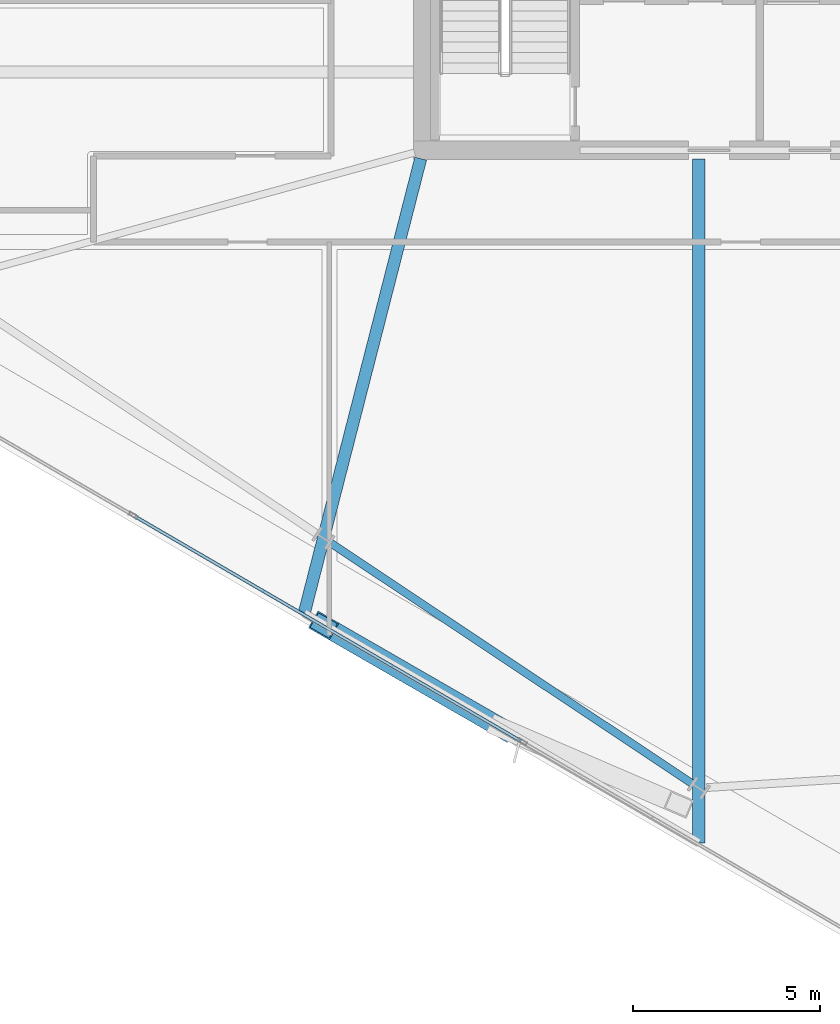
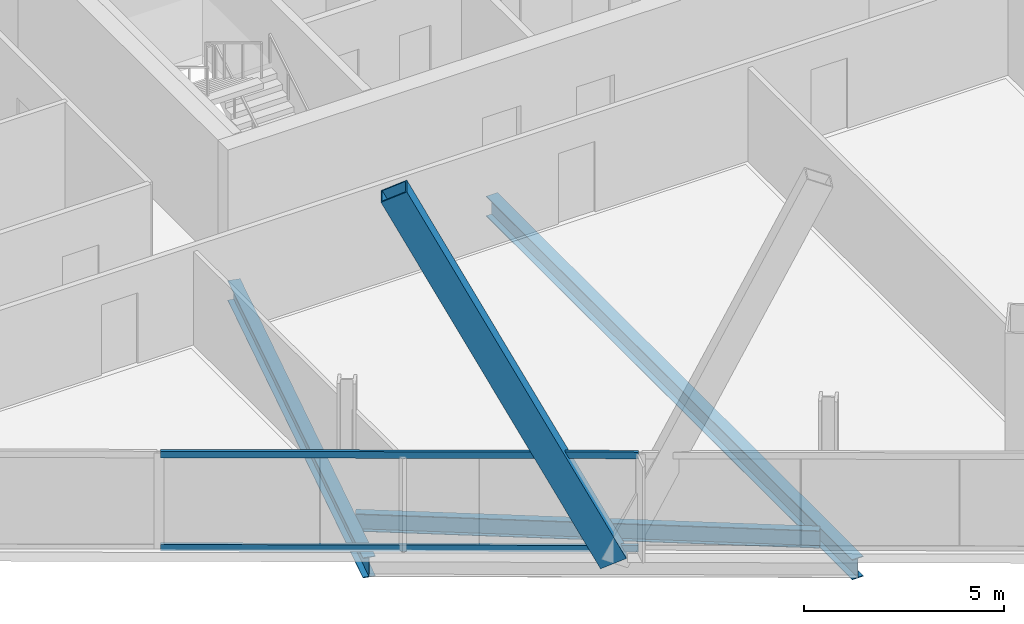
# One storey, part 4 of 29: 3 beams, 3 members, 1 element without a shape of its own.
"""IFC4 building model written with IfcOpenShell, lengths in metres."""

from ifc_helpers import new_model, si_unit, direction, frame, origin, origin_2d, place, context, subcontext, project, spatial, hollow_rectangle, i_section, extrude, material, material_profile, profile_set, type_object, element, aggregate, save


model = new_model("IFC4")

# Units and contexts
model_context = context("Model", 3, precision=1e-05, world=origin(), true_north=direction((0.0, 1.0)))
body_context = subcontext(model_context, "Body", "Model", "MODEL_VIEW")
ifc_project = project(units=[si_unit("LENGTHUNIT", "METRE"), si_unit("AREAUNIT", "SQUARE_METRE"), si_unit("VOLUMEUNIT", "CUBIC_METRE"), si_unit("PLANEANGLEUNIT", "RADIAN"), si_unit("MASSUNIT", "GRAM", prefix="KILO")], contexts=[model_context])

# Site, building, storey
site_placement = place(None, origin())
site = spatial("IfcSite", under=ifc_project, at=site_placement, CompositionType="ELEMENT")
building_placement = place(site_placement, origin())
building = spatial("IfcBuilding", under=site, at=building_placement, Name="Haldenkirk Collegiate Tower", CompositionType="ELEMENT")
storey_placement = place(building_placement, frame((0.0, 0.0, 228.449951171875)))
storey = spatial("IfcBuildingStorey", under=building, at=storey_placement, Name="L57", CompositionType="ELEMENT", Elevation=228.449951171875)

# Beams
ifc_material_1 = material(Name="Steel ASTM A992 Grade 50", Category="steel")
ifc_material_profile_1 = material_profile(ifc_material_1, i_section(OverallWidth=0.324951171875, OverallDepth=0.615966796875, WebThickness=0.013916015625, FlangeThickness=0.021484375, at=origin_2d()), Name="W24X117")
ifc_profile_set_1 = profile_set([ifc_material_profile_1], Name="Steel ASTM A992 Grade 50")
beam_type_1 = type_object("IfcBeamType", Name="BM-GIRDER-W24X117", PredefinedType="BEAM", material=ifc_profile_set_1)
beam_1_placement = place(storey_placement, frame((23.82958984375, 5.626708984375, -0.587890625), z_axis=(0.248210505341, 0.968706119026, 0.0), x_axis=(-0.968706119026, 0.248210505341, 0.0)))
element("IfcBeam", 1, at=beam_1_placement, inside=storey, type_object=beam_type_1, Name="L57 primary floor girder 15", PredefinedType="BEAM", context=body_context, shape_type="SweptSolid", body=[
    extrude(i_section(OverallWidth=0.324951171875, OverallDepth=0.615966796875, WebThickness=0.013916015625, FlangeThickness=0.021484375, at=origin_2d()), origin(), (0.0, 0.0, 1.0), 12.54296875),
])
beam_2_placement = place(storey_placement, frame((34.376708984375, -0.51171875, -0.587890625), z_axis=(0.0, 1.0, 0.0), x_axis=(-1.0, 0.0, 0.0)))
element("IfcBeam", 2, at=beam_2_placement, inside=storey, type_object=beam_type_1, Name="L57 primary floor girder 16", PredefinedType="BEAM", context=body_context, shape_type="SweptSolid", body=[
    extrude(i_section(OverallWidth=0.324951171875, OverallDepth=0.615966796875, WebThickness=0.013916015625, FlangeThickness=0.021484375, at=origin_2d()), origin(), (0.0, 0.0, 1.0), 18.28173828125),
])
ifc_material_profile_2 = material_profile(ifc_material_1, i_section(OverallWidth=0.2099609375, OverallDepth=0.537109375, WebThickness=0.010986328125, FlangeThickness=0.017333984375, at=origin_2d()), Name="W21X68")
ifc_profile_set_2 = profile_set([ifc_material_profile_2], Name="Steel ASTM A992 Grade 50")
beam_type_2 = type_object("IfcBeamType", Name="BM-SPANDREL-W21X68", PredefinedType="SPANDREL", material=ifc_profile_set_2)
beam_3_placement = place(storey_placement, frame((24.52392578125, 7.510986328125, -0.54833984375), z_axis=(0.832441238083, -0.554113332395, 0.0), x_axis=(0.554113332395, 0.832441238083, 0.0)))
element("IfcBeam", 3, at=beam_3_placement, inside=storey, type_object=beam_type_2, Name="L57 perimeter spandrel beam 15", PredefinedType="SPANDREL", context=body_context, shape_type="SweptSolid", body=[
    extrude(i_section(OverallWidth=0.2099609375, OverallDepth=0.537109375, WebThickness=0.010986328125, FlangeThickness=0.017333984375, at=origin_2d()), origin(), (0.0, 0.0, 1.0), 11.618896484375),
])

# Curtain wall, members
ifc_material_2 = material(Name="Anodised architectural bronze aluminium", Category="aluminium")
curtain_wall_type = type_object("IfcCurtainWallType", Name="CW-SYS1B-CONVEX-HI", PredefinedType="USERDEFINED", material=ifc_material_2)
curtain_wall_placement = place(storey_placement, origin())
curtain_wall = element("IfcCurtainWall", 4, at=curtain_wall_placement, inside=storey, type_object=curtain_wall_type, Name="L57 Upper tower high-wind convex bronze unitised curtain wall", ObjectType="UNITISED CURTAIN WALL", PredefinedType="USERDEFINED")
ifc_material_profile_3 = material_profile(ifc_material_2, hollow_rectangle(XDim=0.0849609375, YDim=0.199951171875, WallThickness=0.0048828125, at=origin_2d()), Name="CW-TRN-1B")
ifc_profile_set_3 = profile_set([ifc_material_profile_3], Name="Anodised architectural bronze aluminium")
member_type_1 = type_object("IfcMemberType", Name="CW-TRN-1B", PredefinedType="USERDEFINED", material=ifc_profile_set_3)
member_1_placement = place(storey_placement, frame((29.624267578125, 2.2080078125, 0.04248046875), z_axis=(-0.864276095028, 0.5030177249, 0.0), x_axis=(-0.5030177249, -0.864276095028, 0.0)))
member_1 = element("IfcMember", 5, at=member_1_placement, type_object=member_type_1, Name="CW-1B transom 2.1", ObjectType="TRANSOM", PredefinedType="USERDEFINED", context=body_context, shape_type="SweptSolid", body=[
    extrude(hollow_rectangle(XDim=0.0849609375, YDim=0.199951171875, WallThickness=0.0048828125, at=origin_2d()), origin(), (0.0, 0.0, 1.0), 11.940185546875),
])
member_2_placement = place(storey_placement, frame((29.624267578125, 2.2080078125, 2.885498046875), z_axis=(-0.864276095028, 0.5030177249, 0.0), x_axis=(-0.5030177249, -0.864276095028, 0.0)))
member_2 = element("IfcMember", 6, at=member_2_placement, type_object=member_type_1, Name="CW-1B transom 2.2", ObjectType="TRANSOM", PredefinedType="USERDEFINED", context=body_context, shape_type="SweptSolid", body=[
    extrude(hollow_rectangle(XDim=0.0849609375, YDim=0.199951171875, WallThickness=0.0048828125, at=origin_2d()), origin(), (0.0, 0.0, 1.0), 11.940185546875),
])
aggregate(curtain_wall, [member_1, member_2])

# Member
ifc_material_3 = material(Name="Steel ASTM A572 Grade 50", Category="steel")
ifc_material_profile_4 = material_profile(ifc_material_3, hollow_rectangle(XDim=0.52001953125, YDim=0.719970703125, WallThickness=0.035888671875, at=origin_2d()), Name="BOX720X520X36")
ifc_profile_set_4 = profile_set([ifc_material_profile_4], Name="Steel ASTM A572 Grade 50")
member_type_2 = type_object("IfcMemberType", Name="MBR-MEGABRACE-BOX720X520X36", PredefinedType="BRACE", material=ifc_profile_set_4)
member_3_placement = place(storey_placement, frame((29.103271484375, 2.5576171875, -0.2900390625), z_axis=(-0.381646877275, 0.220033108205, 0.897736649781), x_axis=(-0.499470741777, -0.866330755606, 0.0)))
element("IfcMember", 7, at=member_3_placement, inside=storey, type_object=member_type_2, Name="Perimeter Mega Brace Z4 L57-L59 WL", PredefinedType="BRACE", context=body_context, shape_type="SweptSolid", body=[
    extrude(hollow_rectangle(XDim=0.52001953125, YDim=0.719970703125, WallThickness=0.035888671875, at=origin_2d()), origin(), (0.0, 0.0, 1.0), 12.453857421875),
])

save(model, "model.ifc")
